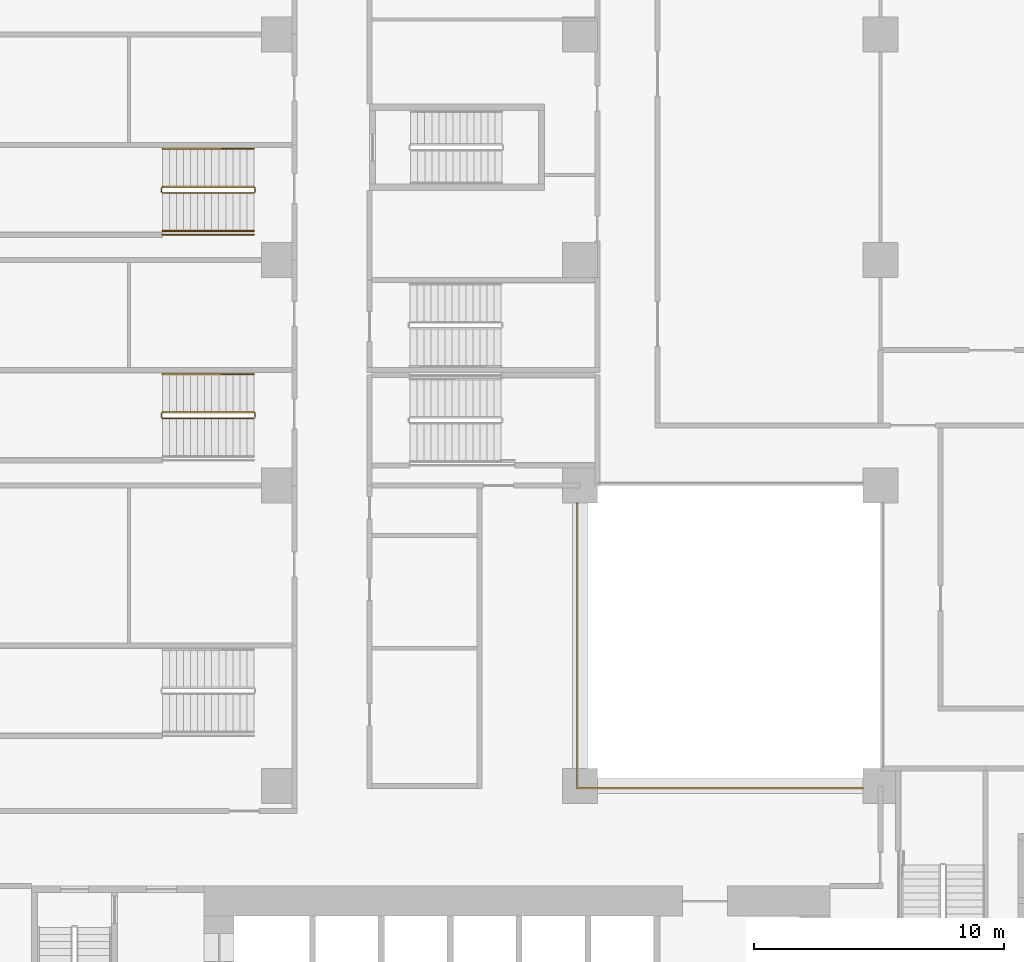
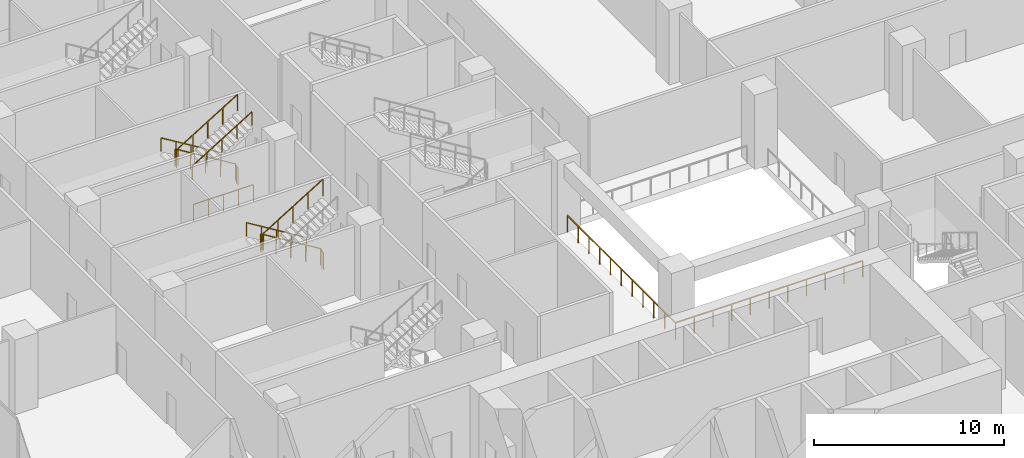
# One storey, part 26 of 31: 7 railings.
"""IFC4 building model written with IfcOpenShell, lengths in metres."""

from ifc_helpers import new_model, si_unit, direction, frame, origin, origin_2d, place, context, subcontext, project, spatial, rectangle, extrude, material, type_object, element, save


model = new_model("IFC4")

# Units and contexts
model_context = context("Model", 3, precision=1e-05, world=origin(), true_north=direction((0.0, 1.0)))
body_context = subcontext(model_context, "Body", "Model", "MODEL_VIEW")
ifc_project = project(units=[si_unit("LENGTHUNIT", "METRE"), si_unit("AREAUNIT", "SQUARE_METRE"), si_unit("VOLUMEUNIT", "CUBIC_METRE"), si_unit("PLANEANGLEUNIT", "RADIAN"), si_unit("MASSUNIT", "GRAM", prefix="KILO")], contexts=[model_context])

# Site, building, storey
site_placement = place(None, origin())
site = spatial("IfcSite", under=ifc_project, at=site_placement, CompositionType="ELEMENT")
building_placement = place(site_placement, origin())
building = spatial("IfcBuilding", under=site, at=building_placement, Name="Chenar Terraces", CompositionType="ELEMENT")
storey_placement = place(building_placement, frame((0.0, 0.0, 7.199951171875)))
storey = spatial("IfcBuildingStorey", under=building, at=storey_placement, Name="L01", CompositionType="ELEMENT", Elevation=7.199951171875)

# Railings
ifc_material_1 = material(Name="Powder-coated steel", Category="steel")
railing_type_1 = type_object("IfcRailingType", Name="Guard 1100 steel rail with glass infill", PredefinedType="GUARDRAIL", material=ifc_material_1)
railing_1_placement = place(storey_placement, frame((23.89990234375, 35.300048828125, 0.0)))
element("IfcRailing", 1, at=railing_1_placement, inside=storey, type_object=railing_type_1, Name="Guard L01-1", PredefinedType="GUARDRAIL", context=body_context, shape_type="SweptSolid", body=[
    extrude(rectangle(XDim=0.06005859375, YDim=0.06005859375, at=origin_2d()), frame((0.0, 0.0, 1.070068359375), z_axis=(0.0, -1.0, 0.0), x_axis=(1.0, 0.0, 0.0)), (0.0, 0.0, 1.0), 11.400146484375),
    extrude(rectangle(XDim=0.06005859375, YDim=0.06005859375, at=origin_2d()), frame((0.0, -11.400146484375, 1.070068359375), z_axis=(1.0, 0.0, 0.0), x_axis=(0.0, 1.0, 0.0)), (0.0, 0.0, 1.0), 11.400146484375),
    extrude(rectangle(XDim=0.050048828125, YDim=0.050048828125, at=origin_2d()), origin(), (0.0, 0.0, 1.0), 1.0400390625),
    extrude(rectangle(XDim=0.050048828125, YDim=0.050048828125, at=origin_2d()), frame((0.0, -1.14013671875, 0.0)), (0.0, 0.0, 1.0), 1.0400390625),
    extrude(rectangle(XDim=0.050048828125, YDim=0.050048828125, at=origin_2d()), frame((0.0, -2.280029296875, 0.0)), (0.0, 0.0, 1.0), 1.0400390625),
    extrude(rectangle(XDim=0.050048828125, YDim=0.050048828125, at=origin_2d()), frame((0.0, -3.419921875, 0.0)), (0.0, 0.0, 1.0), 1.0400390625),
    extrude(rectangle(XDim=0.050048828125, YDim=0.050048828125, at=origin_2d()), frame((0.0, -4.56005859375, 0.0)), (0.0, 0.0, 1.0), 1.0400390625),
    extrude(rectangle(XDim=0.050048828125, YDim=0.050048828125, at=origin_2d()), frame((0.0, -5.7001953125, 0.0)), (0.0, 0.0, 1.0), 1.0400390625),
    extrude(rectangle(XDim=0.050048828125, YDim=0.050048828125, at=origin_2d()), frame((0.0, -6.840087890625, 0.0)), (0.0, 0.0, 1.0), 1.0400390625),
    extrude(rectangle(XDim=0.050048828125, YDim=0.050048828125, at=origin_2d()), frame((0.0, -7.97998046875, 0.0)), (0.0, 0.0, 1.0), 1.0400390625),
    extrude(rectangle(XDim=0.050048828125, YDim=0.050048828125, at=origin_2d()), frame((0.0, -9.1201171875, 0.0)), (0.0, 0.0, 1.0), 1.0400390625),
    extrude(rectangle(XDim=0.050048828125, YDim=0.050048828125, at=origin_2d()), frame((0.0, -10.26025390625, 0.0)), (0.0, 0.0, 1.0), 1.0400390625),
    extrude(rectangle(XDim=0.050048828125, YDim=0.050048828125, at=origin_2d()), frame((0.0, -11.400146484375, 0.0)), (0.0, 0.0, 1.0), 1.0400390625),
    extrude(rectangle(XDim=0.050048828125, YDim=0.050048828125, at=origin_2d()), frame((1.14013671875, -11.400146484375, 0.0)), (0.0, 0.0, 1.0), 1.0400390625),
    extrude(rectangle(XDim=0.050048828125, YDim=0.050048828125, at=origin_2d()), frame((2.280029296875, -11.400146484375, 0.0)), (0.0, 0.0, 1.0), 1.0400390625),
    extrude(rectangle(XDim=0.050048828125, YDim=0.050048828125, at=origin_2d()), frame((3.419921875, -11.400146484375, 0.0)), (0.0, 0.0, 1.0), 1.0400390625),
    extrude(rectangle(XDim=0.050048828125, YDim=0.050048828125, at=origin_2d()), frame((4.56005859375, -11.400146484375, 0.0)), (0.0, 0.0, 1.0), 1.0400390625),
    extrude(rectangle(XDim=0.050048828125, YDim=0.050048828125, at=origin_2d()), frame((5.7001953125, -11.400146484375, 0.0)), (0.0, 0.0, 1.0), 1.0400390625),
    extrude(rectangle(XDim=0.050048828125, YDim=0.050048828125, at=origin_2d()), frame((6.840087890625, -11.400146484375, 0.0)), (0.0, 0.0, 1.0), 1.0400390625),
    extrude(rectangle(XDim=0.050048828125, YDim=0.050048828125, at=origin_2d()), frame((7.97998046875, -11.400146484375, 0.0)), (0.0, 0.0, 1.0), 1.0400390625),
    extrude(rectangle(XDim=0.050048828125, YDim=0.050048828125, at=origin_2d()), frame((9.1201171875, -11.400146484375, 0.0)), (0.0, 0.0, 1.0), 1.0400390625),
    extrude(rectangle(XDim=0.050048828125, YDim=0.050048828125, at=origin_2d()), frame((10.26025390625, -11.400146484375, 0.0)), (0.0, 0.0, 1.0), 1.0400390625),
    extrude(rectangle(XDim=0.050048828125, YDim=0.050048828125, at=origin_2d()), frame((11.400146484375, -11.400146484375, 0.0)), (0.0, 0.0, 1.0), 1.0400390625),
])
ifc_material_2 = material(Name="Powder-coated steel", Category="steel")
railing_type_2 = type_object("IfcRailingType", Name="Stair guard 1100", PredefinedType="GUARDRAIL", material=ifc_material_2)
railing_2_placement = place(storey_placement, frame((10.985107421875, 47.675048828125, 4.800048828125)))
element("IfcRailing", 2, at=railing_2_placement, inside=storey, type_object=railing_type_2, Name="L01 PS4 stair guard 1", PredefinedType="GUARDRAIL", context=body_context, shape_type="SweptSolid", body=[
    extrude(rectangle(XDim=0.048095703125, YDim=0.048095703125, at=origin_2d()), frame((0.0, 0.0, 1.076171875), z_axis=(-0.852865859571, 0.0, -0.52213008492), x_axis=(0.0, -1.0, 0.0)), (0.0, 0.0, 1.0), 4.26806640625),
    extrude(rectangle(XDim=0.048095703125, YDim=0.048095703125, at=origin_2d()), frame((-3.64013671875, 0.0, -1.15234375), z_axis=(-0.269911200495, 0.269911200495, -0.924281281696), x_axis=(-0.707106781187, -0.707106781187, 0.0)), (0.0, 0.0, 1.0), 0.185546875),
    extrude(rectangle(XDim=0.048095703125, YDim=0.048095703125, at=origin_2d()), frame((-3.690185546875, 0.050048828125, -1.32373046875), z_axis=(0.0, 1.0, 0.0), x_axis=(-1.0, 0.0, 0.0)), (0.0, 0.0, 1.0), 0.14990234375),
    extrude(rectangle(XDim=0.048095703125, YDim=0.048095703125, at=origin_2d()), frame((-3.690185546875, 0.199951171875, -1.32373046875), z_axis=(0.707106781187, 0.707106781187, 0.0), x_axis=(-0.707106781187, 0.707106781187, 0.0)), (0.0, 0.0, 1.0), 0.07080078125),
    extrude(rectangle(XDim=0.048095703125, YDim=0.048095703125, at=origin_2d()), frame((-3.64013671875, 0.25, -1.32373046875), z_axis=(0.852840387347, 0.0, -0.522171689878), x_axis=(0.0, 1.0, 0.0)), (0.0, 0.0, 1.0), 4.268310546875),
    extrude(rectangle(XDim=0.048095703125, YDim=0.048095703125, at=origin_2d()), frame((0.0, 0.25, -3.552734375), z_axis=(0.268689830376, -0.270006937388, -0.924609122178), x_axis=(0.708833529934, 0.705375805398, 0.0)), (0.0, 0.0, 1.0), 0.185302734375),
    extrude(rectangle(XDim=0.048095703125, YDim=0.048095703125, at=origin_2d()), frame((0.0498046875, 0.199951171875, -3.72412109375), z_axis=(0.0, -1.0, 0.0), x_axis=(1.0, 0.0, 0.0)), (0.0, 0.0, 1.0), 0.14990234375),
    extrude(rectangle(XDim=0.0419921875, YDim=0.0419921875, at=origin_2d()), origin(), (0.0, 0.0, 1.0), 1.052001953125),
    extrude(rectangle(XDim=0.0419921875, YDim=0.0419921875, at=origin_2d()), frame((-0.91015625, 0.0, -0.55712890625)), (0.0, 0.0, 1.0), 1.052001953125),
    extrude(rectangle(XDim=0.0419921875, YDim=0.0419921875, at=origin_2d()), frame((-1.820068359375, 0.0, -1.1142578125)), (0.0, 0.0, 1.0), 1.052001953125),
    extrude(rectangle(XDim=0.0419921875, YDim=0.0419921875, at=origin_2d()), frame((-2.72998046875, 0.0, -1.67138671875)), (0.0, 0.0, 1.0), 1.052001953125),
    extrude(rectangle(XDim=0.0419921875, YDim=0.0419921875, at=origin_2d()), frame((-3.64013671875, 0.0, -2.228515625)), (0.0, 0.0, 1.0), 1.052001953125),
    extrude(rectangle(XDim=0.0419921875, YDim=0.0419921875, at=origin_2d()), frame((-3.690185546875, 0.050048828125, -2.39990234375)), (0.0, 0.0, 1.0), 1.052001953125),
    extrude(rectangle(XDim=0.0419921875, YDim=0.0419921875, at=origin_2d()), frame((-3.690185546875, 0.199951171875, -2.39990234375)), (0.0, 0.0, 1.0), 1.052001953125),
    extrude(rectangle(XDim=0.0419921875, YDim=0.0419921875, at=origin_2d()), frame((-3.64013671875, 0.25, -2.39990234375)), (0.0, 0.0, 1.0), 1.052001953125),
    extrude(rectangle(XDim=0.0419921875, YDim=0.0419921875, at=origin_2d()), frame((-2.72998046875, 0.25, -2.95703125)), (0.0, 0.0, 1.0), 1.052001953125),
    extrude(rectangle(XDim=0.0419921875, YDim=0.0419921875, at=origin_2d()), frame((-1.820068359375, 0.25, -3.51416015625)), (0.0, 0.0, 1.0), 1.052001953125),
    extrude(rectangle(XDim=0.0419921875, YDim=0.0419921875, at=origin_2d()), frame((-0.91015625, 0.25, -4.071533203125)), (0.0, 0.0, 1.0), 1.052001953125),
    extrude(rectangle(XDim=0.0419921875, YDim=0.0419921875, at=origin_2d()), frame((0.0, 0.25, -4.628662109375)), (0.0, 0.0, 1.0), 1.052001953125),
    extrude(rectangle(XDim=0.0419921875, YDim=0.0419921875, at=origin_2d()), frame((0.0498046875, 0.199951171875, -4.800048828125)), (0.0, 0.0, 1.0), 1.052001953125),
    extrude(rectangle(XDim=0.0419921875, YDim=0.0419921875, at=origin_2d()), frame((0.0498046875, 0.050048828125, -4.800048828125)), (0.0, 0.0, 1.0), 1.052001953125),
])
railing_3_placement = place(storey_placement, frame((10.985107421875, 38.675048828125, 4.800048828125)))
element("IfcRailing", 3, at=railing_3_placement, inside=storey, type_object=railing_type_2, Name="L01 PS9 stair guard 1", PredefinedType="GUARDRAIL", context=body_context, shape_type="SweptSolid", body=[
    extrude(rectangle(XDim=0.048095703125, YDim=0.048095703125, at=origin_2d()), frame((0.0, 0.0, 1.076171875), z_axis=(-0.852865859571, 0.0, -0.52213008492), x_axis=(0.0, -1.0, 0.0)), (0.0, 0.0, 1.0), 4.26806640625),
    extrude(rectangle(XDim=0.048095703125, YDim=0.048095703125, at=origin_2d()), frame((-3.64013671875, 0.0, -1.15234375), z_axis=(-0.269911200495, 0.269911200495, -0.924281281696), x_axis=(-0.707106781187, -0.707106781187, 0.0)), (0.0, 0.0, 1.0), 0.185546875),
    extrude(rectangle(XDim=0.048095703125, YDim=0.048095703125, at=origin_2d()), frame((-3.690185546875, 0.050048828125, -1.32373046875), z_axis=(0.0, 1.0, 0.0), x_axis=(-1.0, 0.0, 0.0)), (0.0, 0.0, 1.0), 0.14990234375),
    extrude(rectangle(XDim=0.048095703125, YDim=0.048095703125, at=origin_2d()), frame((-3.690185546875, 0.199951171875, -1.32373046875), z_axis=(0.707106781187, 0.707106781187, 0.0), x_axis=(-0.707106781187, 0.707106781187, 0.0)), (0.0, 0.0, 1.0), 0.07080078125),
    extrude(rectangle(XDim=0.048095703125, YDim=0.048095703125, at=origin_2d()), frame((-3.64013671875, 0.25, -1.32373046875), z_axis=(0.852840387347, 0.0, -0.522171689878), x_axis=(0.0, 1.0, 0.0)), (0.0, 0.0, 1.0), 4.268310546875),
    extrude(rectangle(XDim=0.048095703125, YDim=0.048095703125, at=origin_2d()), frame((0.0, 0.25, -3.552734375), z_axis=(0.268689830376, -0.270006937388, -0.924609122178), x_axis=(0.708833529934, 0.705375805398, 0.0)), (0.0, 0.0, 1.0), 0.185302734375),
    extrude(rectangle(XDim=0.048095703125, YDim=0.048095703125, at=origin_2d()), frame((0.0498046875, 0.199951171875, -3.72412109375), z_axis=(0.0, -1.0, 0.0), x_axis=(1.0, 0.0, 0.0)), (0.0, 0.0, 1.0), 0.14990234375),
    extrude(rectangle(XDim=0.0419921875, YDim=0.0419921875, at=origin_2d()), origin(), (0.0, 0.0, 1.0), 1.052001953125),
    extrude(rectangle(XDim=0.0419921875, YDim=0.0419921875, at=origin_2d()), frame((-0.91015625, 0.0, -0.55712890625)), (0.0, 0.0, 1.0), 1.052001953125),
    extrude(rectangle(XDim=0.0419921875, YDim=0.0419921875, at=origin_2d()), frame((-1.820068359375, 0.0, -1.1142578125)), (0.0, 0.0, 1.0), 1.052001953125),
    extrude(rectangle(XDim=0.0419921875, YDim=0.0419921875, at=origin_2d()), frame((-2.72998046875, 0.0, -1.67138671875)), (0.0, 0.0, 1.0), 1.052001953125),
    extrude(rectangle(XDim=0.0419921875, YDim=0.0419921875, at=origin_2d()), frame((-3.64013671875, 0.0, -2.228515625)), (0.0, 0.0, 1.0), 1.052001953125),
    extrude(rectangle(XDim=0.0419921875, YDim=0.0419921875, at=origin_2d()), frame((-3.690185546875, 0.050048828125, -2.39990234375)), (0.0, 0.0, 1.0), 1.052001953125),
    extrude(rectangle(XDim=0.0419921875, YDim=0.0419921875, at=origin_2d()), frame((-3.690185546875, 0.199951171875, -2.39990234375)), (0.0, 0.0, 1.0), 1.052001953125),
    extrude(rectangle(XDim=0.0419921875, YDim=0.0419921875, at=origin_2d()), frame((-3.64013671875, 0.25, -2.39990234375)), (0.0, 0.0, 1.0), 1.052001953125),
    extrude(rectangle(XDim=0.0419921875, YDim=0.0419921875, at=origin_2d()), frame((-2.72998046875, 0.25, -2.95703125)), (0.0, 0.0, 1.0), 1.052001953125),
    extrude(rectangle(XDim=0.0419921875, YDim=0.0419921875, at=origin_2d()), frame((-1.820068359375, 0.25, -3.51416015625)), (0.0, 0.0, 1.0), 1.052001953125),
    extrude(rectangle(XDim=0.0419921875, YDim=0.0419921875, at=origin_2d()), frame((-0.91015625, 0.25, -4.071533203125)), (0.0, 0.0, 1.0), 1.052001953125),
    extrude(rectangle(XDim=0.0419921875, YDim=0.0419921875, at=origin_2d()), frame((0.0, 0.25, -4.628662109375)), (0.0, 0.0, 1.0), 1.052001953125),
    extrude(rectangle(XDim=0.0419921875, YDim=0.0419921875, at=origin_2d()), frame((0.0498046875, 0.199951171875, -4.800048828125)), (0.0, 0.0, 1.0), 1.052001953125),
    extrude(rectangle(XDim=0.0419921875, YDim=0.0419921875, at=origin_2d()), frame((0.0498046875, 0.050048828125, -4.800048828125)), (0.0, 0.0, 1.0), 1.052001953125),
])
railing_4_placement = place(storey_placement, frame((7.32421875, 46.010009765625, 0.0)))
element("IfcRailing", 4, at=railing_4_placement, inside=storey, type_object=railing_type_2, Name="L01 PS4 stair guard 101", PredefinedType="GUARDRAIL", context=body_context, shape_type="SweptSolid", body=[
    extrude(rectangle(XDim=0.048095703125, YDim=0.048095703125, at=origin_2d()), frame((0.0, 0.0, 1.076171875), z_axis=(1.0, 0.0, 0.0), x_axis=(0.0, 1.0, 0.0)), (0.0, 0.0, 1.0), 3.660888671875),
    extrude(rectangle(XDim=0.0419921875, YDim=0.0419921875, at=origin_2d()), origin(), (0.0, 0.0, 1.0), 1.052001953125),
    extrude(rectangle(XDim=0.0419921875, YDim=0.0419921875, at=origin_2d()), frame((0.915283203125, 0.0, 0.0)), (0.0, 0.0, 1.0), 1.052001953125),
    extrude(rectangle(XDim=0.0419921875, YDim=0.0419921875, at=origin_2d()), frame((1.83056640625, 0.0, 0.0)), (0.0, 0.0, 1.0), 1.052001953125),
    extrude(rectangle(XDim=0.0419921875, YDim=0.0419921875, at=origin_2d()), frame((2.74560546875, 0.0, 0.0)), (0.0, 0.0, 1.0), 1.052001953125),
    extrude(rectangle(XDim=0.0419921875, YDim=0.0419921875, at=origin_2d()), frame((3.660888671875, 0.0, 0.0)), (0.0, 0.0, 1.0), 1.052001953125),
])
ifc_material_3 = material(Name="Powder-coated steel", Category="steel")
railing_type_3 = type_object("IfcRailingType", Name="Stair handrail 900", PredefinedType="HANDRAIL", material=ifc_material_3)
railing_5_placement = place(storey_placement, frame((10.985107421875, 49.43994140625, 0.17138671875)))
element("IfcRailing", 5, at=railing_5_placement, inside=storey, type_object=railing_type_3, Name="L01 PS4 stair handrail 1", PredefinedType="HANDRAIL", context=body_context, shape_type="SweptSolid", body=[
    extrude(rectangle(XDim=0.048095703125, YDim=0.048095703125, at=origin_2d()), frame((0.0, 0.0, 0.8759765625), z_axis=(-0.852840387347, 0.0, 0.522171689878), x_axis=(0.0, -1.0, 0.0)), (0.0, 0.0, 1.0), 4.268310546875),
    extrude(rectangle(XDim=0.0419921875, YDim=0.0419921875, at=origin_2d()), origin(), (0.0, 0.0, 1.0), 0.851806640625),
    extrude(rectangle(XDim=0.0419921875, YDim=0.0419921875, at=origin_2d()), frame((-0.91015625, 0.0, 0.55712890625)), (0.0, 0.0, 1.0), 0.851806640625),
    extrude(rectangle(XDim=0.0419921875, YDim=0.0419921875, at=origin_2d()), frame((-1.820068359375, 0.0, 1.1142578125)), (0.0, 0.0, 1.0), 0.851806640625),
    extrude(rectangle(XDim=0.0419921875, YDim=0.0419921875, at=origin_2d()), frame((-2.72998046875, 0.0, 1.671630859375)), (0.0, 0.0, 1.0), 0.851806640625),
    extrude(rectangle(XDim=0.0419921875, YDim=0.0419921875, at=origin_2d()), frame((-3.64013671875, 0.0, 2.228759765625)), (0.0, 0.0, 1.0), 0.851806640625),
])
railing_6_placement = place(storey_placement, frame((7.344970703125, 46.159912109375, 2.571533203125)))
element("IfcRailing", 6, at=railing_6_placement, inside=storey, type_object=railing_type_3, Name="L01 PS4 stair handrail 2", PredefinedType="HANDRAIL", context=body_context, shape_type="SweptSolid", body=[
    extrude(rectangle(XDim=0.048095703125, YDim=0.048095703125, at=origin_2d()), frame((0.0, 0.0, 0.8759765625), z_axis=(0.852865859571, 0.0, 0.52213008492), x_axis=(0.0, 1.0, 0.0)), (0.0, 0.0, 1.0), 4.26806640625),
    extrude(rectangle(XDim=0.0419921875, YDim=0.0419921875, at=origin_2d()), origin(), (0.0, 0.0, 1.0), 0.851806640625),
    extrude(rectangle(XDim=0.0419921875, YDim=0.0419921875, at=origin_2d()), frame((0.91015625, 0.0, 0.55712890625)), (0.0, 0.0, 1.0), 0.851806640625),
    extrude(rectangle(XDim=0.0419921875, YDim=0.0419921875, at=origin_2d()), frame((1.820068359375, 0.0, 1.1142578125)), (0.0, 0.0, 1.0), 0.851806640625),
    extrude(rectangle(XDim=0.0419921875, YDim=0.0419921875, at=origin_2d()), frame((2.72998046875, 0.0, 1.67138671875)), (0.0, 0.0, 1.0), 0.851806640625),
    extrude(rectangle(XDim=0.0419921875, YDim=0.0419921875, at=origin_2d()), frame((3.64013671875, 0.0, 2.228515625)), (0.0, 0.0, 1.0), 0.851806640625),
])
railing_7_placement = place(storey_placement, frame((10.985107421875, 40.43994140625, 0.17138671875)))
element("IfcRailing", 7, at=railing_7_placement, inside=storey, type_object=railing_type_3, Name="L01 PS9 stair handrail 1", PredefinedType="HANDRAIL", context=body_context, shape_type="SweptSolid", body=[
    extrude(rectangle(XDim=0.048095703125, YDim=0.048095703125, at=origin_2d()), frame((0.0, 0.0, 0.8759765625), z_axis=(-0.852840387347, 0.0, 0.522171689878), x_axis=(0.0, -1.0, 0.0)), (0.0, 0.0, 1.0), 4.268310546875),
    extrude(rectangle(XDim=0.0419921875, YDim=0.0419921875, at=origin_2d()), origin(), (0.0, 0.0, 1.0), 0.851806640625),
    extrude(rectangle(XDim=0.0419921875, YDim=0.0419921875, at=origin_2d()), frame((-0.91015625, 0.0, 0.55712890625)), (0.0, 0.0, 1.0), 0.851806640625),
    extrude(rectangle(XDim=0.0419921875, YDim=0.0419921875, at=origin_2d()), frame((-1.820068359375, 0.0, 1.1142578125)), (0.0, 0.0, 1.0), 0.851806640625),
    extrude(rectangle(XDim=0.0419921875, YDim=0.0419921875, at=origin_2d()), frame((-2.72998046875, 0.0, 1.671630859375)), (0.0, 0.0, 1.0), 0.851806640625),
    extrude(rectangle(XDim=0.0419921875, YDim=0.0419921875, at=origin_2d()), frame((-3.64013671875, 0.0, 2.228759765625)), (0.0, 0.0, 1.0), 0.851806640625),
])

save(model, "model.ifc")
